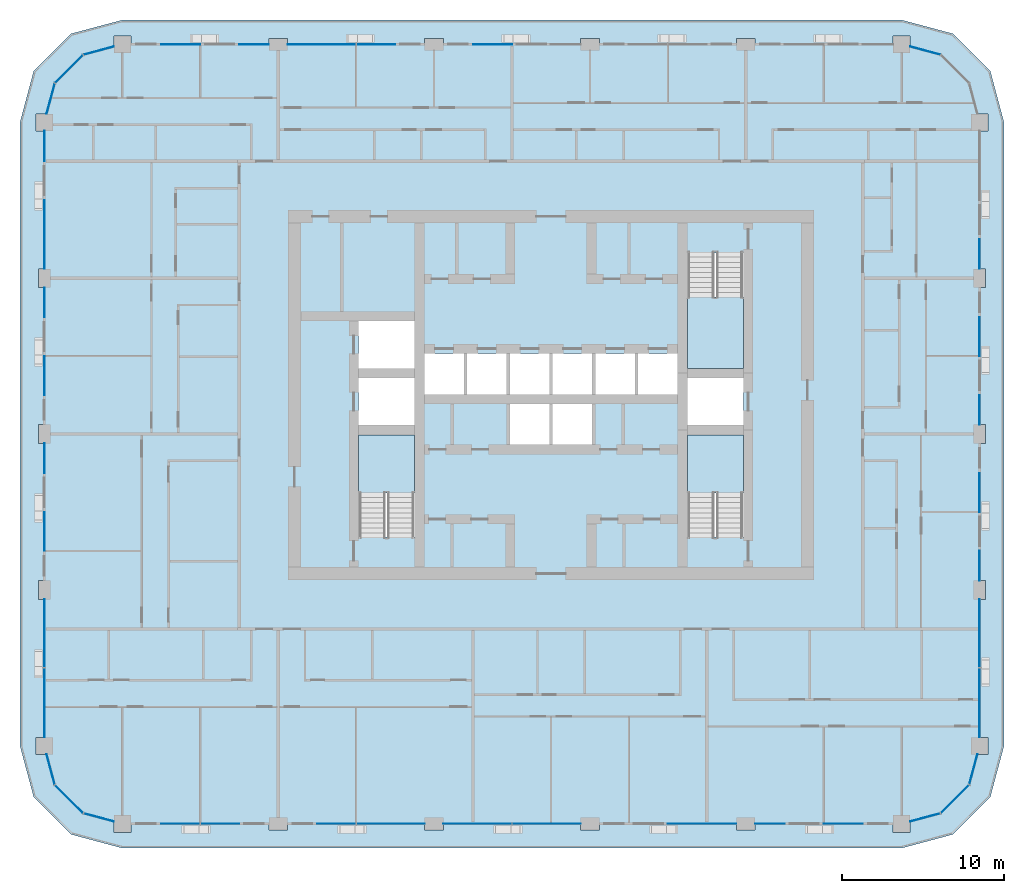
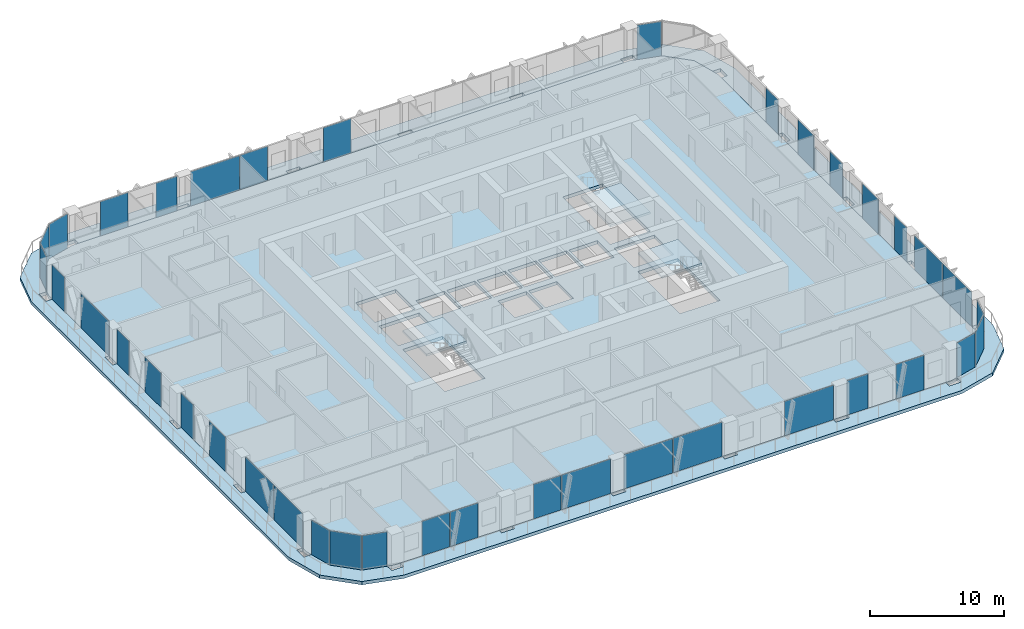
# One storey, part 7 of 22: 39 plates, 5 slabs, 23 elements without a shape of their own.
"""IFC4 building model written with IfcOpenShell, lengths in metres."""

from ifc_helpers import new_model, si_unit, direction, frame, origin, origin_2d, place, context, subcontext, project, spatial, polyline, rectangle, outline, extrude, material, layer, layer_set, type_object, element, aggregate, save


model = new_model("IFC4")

# Units and contexts
model_context = context("Model", 3, precision=1e-05, world=origin(), true_north=direction((0.0, 1.0)))
body_context = subcontext(model_context, "Body", "Model", "MODEL_VIEW")
ifc_project = project(units=[si_unit("LENGTHUNIT", "METRE"), si_unit("AREAUNIT", "SQUARE_METRE"), si_unit("VOLUMEUNIT", "CUBIC_METRE"), si_unit("PLANEANGLEUNIT", "RADIAN"), si_unit("MASSUNIT", "GRAM", prefix="KILO")], contexts=[model_context])

# Site, building, storey
site_placement = place(None, origin())
site = spatial("IfcSite", under=ifc_project, at=site_placement, CompositionType="ELEMENT")
building_placement = place(site_placement, origin())
building = spatial("IfcBuilding", under=site, at=building_placement, Name="Madar Terraces", CompositionType="ELEMENT")
storey_placement = place(building_placement, frame((0.0, 0.0, 156.0)))
storey = spatial("IfcBuildingStorey", under=building, at=storey_placement, Name="L40", CompositionType="ELEMENT", Elevation=156.0)

# Slabs
ifc_material_1 = material(Name="Concrete C50/60", Category="concrete")
ifc_layer_1 = layer(ifc_material_1, 0.300048828125)
ifc_layer_set_1 = layer_set([ifc_layer_1], Name="Balcony band 300")
slab_type_1 = type_object("IfcSlabType", Name="Balcony band 300", PredefinedType="FLOOR", material=ifc_layer_set_1)
slab_1_placement = place(storey_placement, frame((0.0, 0.0, -0.300048828125)))
element("IfcSlab", 1, at=slab_1_placement, inside=storey, type_object=slab_type_1, Name="Balcony band", PredefinedType="FLOOR", context=body_context, shape_type="SweptSolid", body=[
    extrude(outline(polyline([(4.800048828125, -1.5), (1.64990234375, -0.656005859375), (-0.656005859375, 1.64990234375), (-1.5, 4.800048828125), (-1.5, 43.199951171875), (-0.656005859375, 46.35009765625), (1.64990234375, 48.656005859375), (4.800048828125, 49.5), (52.800048828125, 49.5), (55.949951171875, 48.656005859375), (58.256103515625, 46.35009765625), (59.10009765625, 43.199951171875), (59.10009765625, 4.800048828125), (58.256103515625, 1.64990234375), (55.949951171875, -0.656005859375), (52.800048828125, -1.5), (4.800048828125, -1.5)]), holes=[polyline([(5.324951171875, -0.52490234375), (5.324951171875, 0.0), (13.824951171875, 0.0), (13.824951171875, -0.375), (14.97509765625, -0.375), (14.97509765625, 0.0), (23.425048828125, 0.0), (23.425048828125, -0.375), (24.574951171875, -0.375), (24.574951171875, 0.0), (33.02490234375, 0.0), (33.02490234375, -0.375), (34.175048828125, -0.375), (34.175048828125, 0.0), (42.625, 0.0), (42.625, -0.375), (43.77490234375, -0.375), (43.77490234375, 0.0), (52.27490234375, 0.0), (52.27490234375, -0.52490234375), (53.324951171875, -0.52490234375), (53.324951171875, 0.140625), (55.199951171875, 0.64306640625), (56.956787109375, 2.39990234375), (57.459228515625, 4.27490234375), (58.125, 4.27490234375), (58.125, 5.324951171875), (57.60009765625, 5.324951171875), (57.60009765625, 13.824951171875), (57.97509765625, 13.824951171875), (57.97509765625, 14.97509765625), (57.60009765625, 14.97509765625), (57.60009765625, 23.425048828125), (57.97509765625, 23.425048828125), (57.97509765625, 24.574951171875), (57.60009765625, 24.574951171875), (57.60009765625, 33.02490234375), (57.97509765625, 33.02490234375), (57.97509765625, 34.175048828125), (57.60009765625, 34.175048828125), (57.60009765625, 42.675048828125), (58.125, 42.675048828125), (58.125, 43.72509765625), (57.459228515625, 43.72509765625), (56.956787109375, 45.60009765625), (55.199951171875, 47.35693359375), (53.324951171875, 47.859375), (53.324951171875, 48.52490234375), (52.27490234375, 48.52490234375), (52.27490234375, 48.0), (43.77490234375, 48.0), (43.77490234375, 48.375), (42.625, 48.375), (42.625, 48.0), (34.175048828125, 48.0), (34.175048828125, 48.375), (33.02490234375, 48.375), (33.02490234375, 48.0), (24.574951171875, 48.0), (24.574951171875, 48.375), (23.425048828125, 48.375), (23.425048828125, 48.0), (14.97509765625, 48.0), (14.97509765625, 48.375), (13.824951171875, 48.375), (13.824951171875, 48.0), (5.324951171875, 48.0), (5.324951171875, 48.52490234375), (4.27490234375, 48.52490234375), (4.27490234375, 47.859375), (2.39990234375, 47.35693359375), (0.64306640625, 45.60009765625), (0.140625, 43.72509765625), (-0.52490234375, 43.72509765625), (-0.52490234375, 42.675048828125), (0.0, 42.675048828125), (0.0, 34.175048828125), (-0.375, 34.175048828125), (-0.375, 33.02490234375), (0.0, 33.02490234375), (0.0, 24.574951171875), (-0.375, 24.574951171875), (-0.375, 23.425048828125), (0.0, 23.425048828125), (0.0, 14.97509765625), (-0.375, 14.97509765625), (-0.375, 13.824951171875), (0.0, 13.824951171875), (0.0, 5.324951171875), (-0.52490234375, 5.324951171875), (-0.52490234375, 4.27490234375), (0.140625, 4.27490234375), (0.64306640625, 2.39990234375), (2.39990234375, 0.64306640625), (4.27490234375, 0.140625), (4.27490234375, -0.52490234375), (5.324951171875, -0.52490234375)])]), origin(), (0.0, 0.0, 1.0), 0.300048828125),
])
ifc_material_2 = material(Name="Concrete C50/60", Category="concrete")
ifc_layer_2 = layer(ifc_material_2, 0.300048828125)
ifc_layer_set_2 = layer_set([ifc_layer_2], Name="FS2 PT flat slab 300")
slab_type_2 = type_object("IfcSlabType", Name="FS2 PT flat slab 300", PredefinedType="FLOOR", material=ifc_layer_set_2)
slab_2_placement = place(storey_placement, frame((0.0, 0.0, -0.300048828125)))
element("IfcSlab", 2, at=slab_2_placement, inside=storey, type_object=slab_type_2, Name="Floor slab L40 (1)", PredefinedType="FLOOR", context=body_context, shape_type="SweptSolid", body=[
    extrude(outline(polyline([(52.800048828125, 0.0), (55.199951171875, 0.64306640625), (56.95703125, 2.39990234375), (57.60009765625, 4.800048828125), (57.60009765625, 43.199951171875), (56.95703125, 45.60009765625), (55.199951171875, 47.35693359375), (52.800048828125, 48.0), (4.800048828125, 48.0), (2.39990234375, 47.35693359375), (0.64306640625, 45.60009765625), (0.0, 43.199951171875), (0.0, 4.800048828125), (0.64306640625, 2.39990234375), (2.39990234375, 0.64306640625), (4.800048828125, 0.0), (52.800048828125, 0.0)]), holes=[polyline([(22.800048828125, 17.64990234375), (19.35009765625, 17.64990234375), (19.35009765625, 23.949951171875), (22.800048828125, 23.949951171875), (22.800048828125, 17.64990234375)]), polyline([(28.666748046875, 23.35009765625), (28.666748046875, 25.85009765625), (31.10009765625, 25.85009765625), (31.10009765625, 23.35009765625), (28.666748046875, 23.35009765625)]), polyline([(19.35009765625, 24.550048828125), (19.35009765625, 27.449951171875), (22.800048828125, 27.449951171875), (22.800048828125, 24.550048828125), (19.35009765625, 24.550048828125)]), polyline([(23.39990234375, 26.449951171875), (23.39990234375, 28.949951171875), (25.833251953125, 28.949951171875), (25.833251953125, 26.449951171875), (23.39990234375, 26.449951171875)]), polyline([(26.033447265625, 26.449951171875), (26.033447265625, 28.949951171875), (28.466552734375, 28.949951171875), (28.466552734375, 26.449951171875), (26.033447265625, 26.449951171875)]), polyline([(28.666748046875, 26.449951171875), (28.666748046875, 28.949951171875), (31.10009765625, 28.949951171875), (31.10009765625, 26.449951171875), (28.666748046875, 26.449951171875)]), polyline([(19.35009765625, 28.050048828125), (19.35009765625, 30.949951171875), (22.800048828125, 30.949951171875), (22.800048828125, 28.050048828125), (19.35009765625, 28.050048828125)]), polyline([(43.050048828125, 17.64990234375), (39.60009765625, 17.64990234375), (39.60009765625, 23.949951171875), (43.050048828125, 23.949951171875), (43.050048828125, 17.64990234375)]), polyline([(31.300048828125, 23.35009765625), (31.300048828125, 25.85009765625), (33.7333984375, 25.85009765625), (33.7333984375, 23.35009765625), (31.300048828125, 23.35009765625)]), polyline([(39.60009765625, 24.550048828125), (39.60009765625, 27.449951171875), (43.050048828125, 27.449951171875), (43.050048828125, 24.550048828125), (39.60009765625, 24.550048828125)]), polyline([(31.300048828125, 26.449951171875), (31.300048828125, 28.949951171875), (33.7333984375, 28.949951171875), (33.7333984375, 26.449951171875), (31.300048828125, 26.449951171875)]), polyline([(33.933349609375, 26.449951171875), (33.933349609375, 28.949951171875), (36.36669921875, 28.949951171875), (36.36669921875, 26.449951171875), (33.933349609375, 26.449951171875)]), polyline([(36.566650390625, 26.449951171875), (36.566650390625, 28.949951171875), (39.0, 28.949951171875), (39.0, 26.449951171875), (36.566650390625, 26.449951171875)]), polyline([(39.60009765625, 28.050048828125), (39.60009765625, 35.14990234375), (43.050048828125, 35.14990234375), (43.050048828125, 28.050048828125), (39.60009765625, 28.050048828125)])]), origin(), (0.0, 0.0, 1.0), 0.300048828125),
])

# Curtain wall, plates
ifc_material_3 = material(Name="Glass, ceramic frit dark grey, with black aluminium frame", Category="aluminium")
ifc_layer_3 = layer(ifc_material_3, 0.199951171875)
ifc_layer_set_3 = layer_set([ifc_layer_3], Name="Facade curtain wall, fritted glass")
curtain_wall_type = type_object("IfcCurtainWallType", Name="Facade curtain wall, fritted glass", PredefinedType="NOTDEFINED", material=ifc_layer_set_3)
curtain_wall_1_placement = place(storey_placement, origin())
curtain_wall_1 = element("IfcCurtainWall", 3, at=curtain_wall_1_placement, inside=storey, type_object=curtain_wall_type, Name="Outer skin curtain wall south bay 1", PredefinedType="NOTDEFINED")
ifc_material_4 = material(Name="Glass, ceramic frit dark grey", Category="glass")
ifc_layer_4 = layer(ifc_material_4, 0.028076171875)
ifc_layer_set_4 = layer_set([ifc_layer_4], Name="Facade glass panel 28")
plate_type = type_object("IfcPlateType", Name="Facade glass panel 28", PredefinedType="CURTAIN_PANEL", material=ifc_layer_set_4)
plate_1_placement = place(storey_placement, frame((8.385009765625, 0.0, 0.0), z_axis=(0.0, 0.0, 1.0), x_axis=(1.0, 0.0, 0.0)))
plate_1 = element("IfcPlate", 4, at=plate_1_placement, type_object=plate_type, Name="Panel 1", PredefinedType="CURTAIN_PANEL", context=body_context, shape_type="SweptSolid", body=[
    extrude(rectangle(XDim=2.3701171875, YDim=0.028076171875, at=origin_2d()), origin(), (0.0, 0.0, 1.0), 3.139892578125),
])
plate_2_placement = place(storey_placement, frame((10.81494140625, 0.0, 0.0), z_axis=(0.0, 0.0, 1.0), x_axis=(1.0, 0.0, 0.0)))
plate_2 = element("IfcPlate", 5, at=plate_2_placement, type_object=plate_type, Name="Panel 2", PredefinedType="CURTAIN_PANEL", context=body_context, shape_type="SweptSolid", body=[
    extrude(rectangle(XDim=2.3701171875, YDim=0.028076171875, at=origin_2d()), origin(), (0.0, 0.0, 1.0), 3.139892578125),
])
aggregate(curtain_wall_1, [plate_1, plate_2])

curtain_wall_2_placement = place(storey_placement, origin())
curtain_wall_2 = element("IfcCurtainWall", 6, at=curtain_wall_2_placement, inside=storey, type_object=curtain_wall_type, Name="Outer skin curtain wall south bay 2", PredefinedType="NOTDEFINED")
plate_3_placement = place(storey_placement, frame((17.985107421875, 0.0, 0.0), z_axis=(0.0, 0.0, 1.0), x_axis=(1.0, 0.0, 0.0)))
plate_3 = element("IfcPlate", 7, at=plate_3_placement, type_object=plate_type, Name="Panel 1", PredefinedType="CURTAIN_PANEL", context=body_context, shape_type="SweptSolid", body=[
    extrude(rectangle(XDim=2.3701171875, YDim=0.028076171875, at=origin_2d()), origin(), (0.0, 0.0, 1.0), 3.139892578125),
])
plate_4_placement = place(storey_placement, frame((21.327392578125, 0.0, 0.0), z_axis=(0.0, 0.0, 1.0), x_axis=(1.0, 0.0, 0.0)))
plate_4 = element("IfcPlate", 8, at=plate_4_placement, type_object=plate_type, Name="Panel 2", PredefinedType="CURTAIN_PANEL", context=body_context, shape_type="SweptSolid", body=[
    extrude(rectangle(XDim=4.195068359375, YDim=0.028076171875, at=origin_2d()), origin(), (0.0, 0.0, 1.0), 3.139892578125),
])
aggregate(curtain_wall_2, [plate_3, plate_4])

curtain_wall_3_placement = place(storey_placement, origin())
curtain_wall_3 = element("IfcCurtainWall", 9, at=curtain_wall_3_placement, inside=storey, type_object=curtain_wall_type, Name="Outer skin curtain wall south bay 3", PredefinedType="NOTDEFINED")
plate_5_placement = place(storey_placement, frame((26.672607421875, 0.0, 0.0), z_axis=(0.0, 0.0, 1.0), x_axis=(1.0, 0.0, 0.0)))
plate_5 = element("IfcPlate", 10, at=plate_5_placement, type_object=plate_type, Name="Panel 1", PredefinedType="CURTAIN_PANEL", context=body_context, shape_type="SweptSolid", body=[
    extrude(rectangle(XDim=4.195068359375, YDim=0.028076171875, at=origin_2d()), origin(), (0.0, 0.0, 1.0), 3.139892578125),
])
plate_6_placement = place(storey_placement, frame((30.927490234375, 0.0, 0.0), z_axis=(0.0, 0.0, 1.0), x_axis=(1.0, 0.0, 0.0)))
plate_6 = element("IfcPlate", 11, at=plate_6_placement, type_object=plate_type, Name="Panel 2", PredefinedType="CURTAIN_PANEL", context=body_context, shape_type="SweptSolid", body=[
    extrude(rectangle(XDim=4.195068359375, YDim=0.028076171875, at=origin_2d()), origin(), (0.0, 0.0, 1.0), 3.139892578125),
])
aggregate(curtain_wall_3, [plate_5, plate_6])

# Curtain wall, plate
curtain_wall_4_placement = place(storey_placement, origin())
curtain_wall_4 = element("IfcCurtainWall", 12, at=curtain_wall_4_placement, inside=storey, type_object=curtain_wall_type, Name="Outer skin curtain wall south bay 4", PredefinedType="NOTDEFINED")
plate_7_placement = place(storey_placement, frame((40.512451171875, 0.0, 0.0), z_axis=(0.0, 0.0, 1.0), x_axis=(1.0, 0.0, 0.0)))
plate_7 = element("IfcPlate", 13, at=plate_7_placement, type_object=plate_type, Name="Panel 1", PredefinedType="CURTAIN_PANEL", context=body_context, shape_type="SweptSolid", body=[
    extrude(rectangle(XDim=4.22509765625, YDim=0.028076171875, at=origin_2d()), origin(), (0.0, 0.0, 1.0), 3.139892578125),
])
aggregate(curtain_wall_4, [plate_7])

# Curtain wall, plates
curtain_wall_5_placement = place(storey_placement, origin())
curtain_wall_5 = element("IfcCurtainWall", 14, at=curtain_wall_5_placement, inside=storey, type_object=curtain_wall_type, Name="Outer skin curtain wall south bay 5", PredefinedType="NOTDEFINED")
plate_8_placement = place(storey_placement, frame((44.6875, 0.0, 0.0), z_axis=(0.0, 0.0, 1.0), x_axis=(1.0, 0.0, 0.0)))
plate_8 = element("IfcPlate", 15, at=plate_8_placement, type_object=plate_type, Name="Panel 1", PredefinedType="CURTAIN_PANEL", context=body_context, shape_type="SweptSolid", body=[
    extrude(rectangle(XDim=1.824951171875, YDim=0.028076171875, at=origin_2d()), origin(), (0.0, 0.0, 1.0), 3.139892578125),
])
plate_9_placement = place(storey_placement, frame((49.199951171875, 0.0, 0.0), z_axis=(0.0, 0.0, 1.0), x_axis=(1.0, 0.0, 0.0)))
plate_9 = element("IfcPlate", 16, at=plate_9_placement, type_object=plate_type, Name="Panel 2", PredefinedType="CURTAIN_PANEL", context=body_context, shape_type="SweptSolid", body=[
    extrude(rectangle(XDim=2.39990234375, YDim=0.028076171875, at=origin_2d()), origin(), (0.0, 0.0, 1.0), 3.139892578125),
])
aggregate(curtain_wall_5, [plate_8, plate_9])

curtain_wall_6_placement = place(storey_placement, origin())
curtain_wall_6 = element("IfcCurtainWall", 17, at=curtain_wall_6_placement, inside=storey, type_object=curtain_wall_type, Name="Outer skin curtain wall east bay 1", PredefinedType="NOTDEFINED")
plate_10_placement = place(storey_placement, frame((57.60009765625, 7.447509765625, 0.0), z_axis=(0.0, 0.0, 1.0), x_axis=(0.0, 1.0, 0.0)))
plate_10 = element("IfcPlate", 18, at=plate_10_placement, type_object=plate_type, Name="Panel 1", PredefinedType="CURTAIN_PANEL", context=body_context, shape_type="SweptSolid", body=[
    extrude(rectangle(XDim=4.2451171875, YDim=0.028076171875, at=origin_2d()), origin(), (0.0, 0.0, 1.0), 3.139892578125),
])
plate_11_placement = place(storey_placement, frame((57.60009765625, 11.7275390625, 0.0), z_axis=(0.0, 0.0, 1.0), x_axis=(0.0, 1.0, 0.0)))
plate_11 = element("IfcPlate", 19, at=plate_11_placement, type_object=plate_type, Name="Panel 2", PredefinedType="CURTAIN_PANEL", context=body_context, shape_type="SweptSolid", body=[
    extrude(rectangle(XDim=4.195068359375, YDim=0.028076171875, at=origin_2d()), origin(), (0.0, 0.0, 1.0), 3.139892578125),
])
aggregate(curtain_wall_6, [plate_10, plate_11])

curtain_wall_7_placement = place(storey_placement, origin())
curtain_wall_7 = element("IfcCurtainWall", 20, at=curtain_wall_7_placement, inside=storey, type_object=curtain_wall_type, Name="Outer skin curtain wall east bay 2", PredefinedType="NOTDEFINED")
plate_12_placement = place(storey_placement, frame((57.60009765625, 15.887451171875, 0.0), z_axis=(0.0, 0.0, 1.0), x_axis=(0.0, 1.0, 0.0)))
plate_12 = element("IfcPlate", 21, at=plate_12_placement, type_object=plate_type, Name="Panel 1", PredefinedType="CURTAIN_PANEL", context=body_context, shape_type="SweptSolid", body=[
    extrude(rectangle(XDim=1.824951171875, YDim=0.028076171875, at=origin_2d()), origin(), (0.0, 0.0, 1.0), 3.139892578125),
])
plate_13_placement = place(storey_placement, frame((57.60009765625, 20.39990234375, 0.0), z_axis=(0.0, 0.0, 1.0), x_axis=(0.0, 1.0, 0.0)))
plate_13 = element("IfcPlate", 22, at=plate_13_placement, type_object=plate_type, Name="Panel 2", PredefinedType="CURTAIN_PANEL", context=body_context, shape_type="SweptSolid", body=[
    extrude(rectangle(XDim=2.39990234375, YDim=0.028076171875, at=origin_2d()), origin(), (0.0, 0.0, 1.0), 3.139892578125),
])
aggregate(curtain_wall_7, [plate_12, plate_13])

curtain_wall_8_placement = place(storey_placement, origin())
curtain_wall_8 = element("IfcCurtainWall", 23, at=curtain_wall_8_placement, inside=storey, type_object=curtain_wall_type, Name="Outer skin curtain wall east bay 3", PredefinedType="NOTDEFINED")
plate_14_placement = place(storey_placement, frame((57.60009765625, 25.487548828125, 0.0), z_axis=(0.0, 0.0, 1.0), x_axis=(0.0, 1.0, 0.0)))
plate_14 = element("IfcPlate", 24, at=plate_14_placement, type_object=plate_type, Name="Panel 1", PredefinedType="CURTAIN_PANEL", context=body_context, shape_type="SweptSolid", body=[
    extrude(rectangle(XDim=1.824951171875, YDim=0.028076171875, at=origin_2d()), origin(), (0.0, 0.0, 1.0), 3.139892578125),
])
plate_15_placement = place(storey_placement, frame((57.60009765625, 30.0, 0.0), z_axis=(0.0, 0.0, 1.0), x_axis=(0.0, 1.0, 0.0)))
plate_15 = element("IfcPlate", 25, at=plate_15_placement, type_object=plate_type, Name="Panel 2", PredefinedType="CURTAIN_PANEL", context=body_context, shape_type="SweptSolid", body=[
    extrude(rectangle(XDim=2.39990234375, YDim=0.028076171875, at=origin_2d()), origin(), (0.0, 0.0, 1.0), 3.139892578125),
])
aggregate(curtain_wall_8, [plate_14, plate_15])

# Curtain wall, plate
curtain_wall_9_placement = place(storey_placement, origin())
curtain_wall_9 = element("IfcCurtainWall", 26, at=curtain_wall_9_placement, inside=storey, type_object=curtain_wall_type, Name="Outer skin curtain wall east bay 4", PredefinedType="NOTDEFINED")
plate_16_placement = place(storey_placement, frame((57.60009765625, 35.08740234375, 0.0), z_axis=(0.0, 0.0, 1.0), x_axis=(0.0, 1.0, 0.0)))
plate_16 = element("IfcPlate", 27, at=plate_16_placement, type_object=plate_type, Name="Panel 1", PredefinedType="CURTAIN_PANEL", context=body_context, shape_type="SweptSolid", body=[
    extrude(rectangle(XDim=1.824951171875, YDim=0.028076171875, at=origin_2d()), origin(), (0.0, 0.0, 1.0), 3.139892578125),
])
aggregate(curtain_wall_9, [plate_16])

curtain_wall_10_placement = place(storey_placement, origin())
curtain_wall_10 = element("IfcCurtainWall", 28, at=curtain_wall_10_placement, inside=storey, type_object=curtain_wall_type, Name="Outer skin curtain wall north bay 3", PredefinedType="NOTDEFINED")
plate_17_placement = place(storey_placement, frame((27.60009765625, 48.0, 0.0), z_axis=(0.0, 0.0, 1.0), x_axis=(-1.0, 0.0, 0.0)))
plate_17 = element("IfcPlate", 29, at=plate_17_placement, type_object=plate_type, Name="Panel 2", PredefinedType="CURTAIN_PANEL", context=body_context, shape_type="SweptSolid", body=[
    extrude(rectangle(XDim=2.39990234375, YDim=0.028076171875, at=origin_2d()), origin(), (0.0, 0.0, 1.0), 3.139892578125),
])
aggregate(curtain_wall_10, [plate_17])

# Curtain wall, plates
curtain_wall_11_placement = place(storey_placement, origin())
curtain_wall_11 = element("IfcCurtainWall", 30, at=curtain_wall_11_placement, inside=storey, type_object=curtain_wall_type, Name="Outer skin curtain wall north bay 4", PredefinedType="NOTDEFINED")
plate_18_placement = place(storey_placement, frame((20.4150390625, 48.0, 0.0), z_axis=(0.0, 0.0, 1.0), x_axis=(-1.0, 0.0, 0.0)))
plate_18 = element("IfcPlate", 31, at=plate_18_placement, type_object=plate_type, Name="Panel 1", PredefinedType="CURTAIN_PANEL", context=body_context, shape_type="SweptSolid", body=[
    extrude(rectangle(XDim=2.3701171875, YDim=0.028076171875, at=origin_2d()), origin(), (0.0, 0.0, 1.0), 3.139892578125),
])
plate_19_placement = place(storey_placement, frame((17.072509765625, 48.0, 0.0), z_axis=(0.0, 0.0, 1.0), x_axis=(-1.0, 0.0, 0.0)))
plate_19 = element("IfcPlate", 32, at=plate_19_placement, type_object=plate_type, Name="Panel 2", PredefinedType="CURTAIN_PANEL", context=body_context, shape_type="SweptSolid", body=[
    extrude(rectangle(XDim=4.195068359375, YDim=0.028076171875, at=origin_2d()), origin(), (0.0, 0.0, 1.0), 3.139892578125),
])
aggregate(curtain_wall_11, [plate_18, plate_19])

curtain_wall_12_placement = place(storey_placement, origin())
curtain_wall_12 = element("IfcCurtainWall", 33, at=curtain_wall_12_placement, inside=storey, type_object=curtain_wall_type, Name="Outer skin curtain wall north bay 5", PredefinedType="NOTDEFINED")
plate_20_placement = place(storey_placement, frame((12.91259765625, 48.0, 0.0), z_axis=(0.0, 0.0, 1.0), x_axis=(-1.0, 0.0, 0.0)))
plate_20 = element("IfcPlate", 34, at=plate_20_placement, type_object=plate_type, Name="Panel 1", PredefinedType="CURTAIN_PANEL", context=body_context, shape_type="SweptSolid", body=[
    extrude(rectangle(XDim=1.824951171875, YDim=0.028076171875, at=origin_2d()), origin(), (0.0, 0.0, 1.0), 3.139892578125),
])
plate_21_placement = place(storey_placement, frame((8.39990234375, 48.0, 0.0), z_axis=(0.0, 0.0, 1.0), x_axis=(-1.0, 0.0, 0.0)))
plate_21 = element("IfcPlate", 35, at=plate_21_placement, type_object=plate_type, Name="Panel 2", PredefinedType="CURTAIN_PANEL", context=body_context, shape_type="SweptSolid", body=[
    extrude(rectangle(XDim=2.39990234375, YDim=0.028076171875, at=origin_2d()), origin(), (0.0, 0.0, 1.0), 3.139892578125),
])
aggregate(curtain_wall_12, [plate_20, plate_21])

curtain_wall_13_placement = place(storey_placement, origin())
curtain_wall_13 = element("IfcCurtainWall", 36, at=curtain_wall_13_placement, inside=storey, type_object=curtain_wall_type, Name="Outer skin curtain wall west bay 1", PredefinedType="NOTDEFINED")
plate_22_placement = place(storey_placement, frame((0.0, 41.737548828125, 0.0), z_axis=(0.0, 0.0, 1.0), x_axis=(0.0, -1.0, 0.0)))
plate_22 = element("IfcPlate", 37, at=plate_22_placement, type_object=plate_type, Name="Panel 1", PredefinedType="CURTAIN_PANEL", context=body_context, shape_type="SweptSolid", body=[
    extrude(rectangle(XDim=1.875, YDim=0.028076171875, at=origin_2d()), origin(), (0.0, 0.0, 1.0), 3.139892578125),
])
plate_23_placement = place(storey_placement, frame((0.0, 36.28759765625, 0.0), z_axis=(0.0, 0.0, 1.0), x_axis=(0.0, -1.0, 0.0)))
plate_23 = element("IfcPlate", 38, at=plate_23_placement, type_object=plate_type, Name="Panel 2", PredefinedType="CURTAIN_PANEL", context=body_context, shape_type="SweptSolid", body=[
    extrude(rectangle(XDim=4.22509765625, YDim=0.028076171875, at=origin_2d()), origin(), (0.0, 0.0, 1.0), 3.139892578125),
])
aggregate(curtain_wall_13, [plate_22, plate_23])

curtain_wall_14_placement = place(storey_placement, origin())
curtain_wall_14 = element("IfcCurtainWall", 39, at=curtain_wall_14_placement, inside=storey, type_object=curtain_wall_type, Name="Outer skin curtain wall west bay 2", PredefinedType="NOTDEFINED")
plate_24_placement = place(storey_placement, frame((0.0, 32.112548828125, 0.0), z_axis=(0.0, 0.0, 1.0), x_axis=(0.0, -1.0, 0.0)))
plate_24 = element("IfcPlate", 40, at=plate_24_placement, type_object=plate_type, Name="Panel 1", PredefinedType="CURTAIN_PANEL", context=body_context, shape_type="SweptSolid", body=[
    extrude(rectangle(XDim=1.824951171875, YDim=0.028076171875, at=origin_2d()), origin(), (0.0, 0.0, 1.0), 3.139892578125),
])
plate_25_placement = place(storey_placement, frame((0.0, 27.60009765625, 0.0), z_axis=(0.0, 0.0, 1.0), x_axis=(0.0, -1.0, 0.0)))
plate_25 = element("IfcPlate", 41, at=plate_25_placement, type_object=plate_type, Name="Panel 2", PredefinedType="CURTAIN_PANEL", context=body_context, shape_type="SweptSolid", body=[
    extrude(rectangle(XDim=2.39990234375, YDim=0.028076171875, at=origin_2d()), origin(), (0.0, 0.0, 1.0), 3.139892578125),
])
aggregate(curtain_wall_14, [plate_24, plate_25])

curtain_wall_15_placement = place(storey_placement, origin())
curtain_wall_15 = element("IfcCurtainWall", 42, at=curtain_wall_15_placement, inside=storey, type_object=curtain_wall_type, Name="Outer skin curtain wall west bay 3", PredefinedType="NOTDEFINED")
plate_26_placement = place(storey_placement, frame((0.0, 22.512451171875, 0.0), z_axis=(0.0, 0.0, 1.0), x_axis=(0.0, -1.0, 0.0)))
plate_26 = element("IfcPlate", 43, at=plate_26_placement, type_object=plate_type, Name="Panel 1", PredefinedType="CURTAIN_PANEL", context=body_context, shape_type="SweptSolid", body=[
    extrude(rectangle(XDim=1.824951171875, YDim=0.028076171875, at=origin_2d()), origin(), (0.0, 0.0, 1.0), 3.139892578125),
])
plate_27_placement = place(storey_placement, frame((0.0, 18.0, 0.0), z_axis=(0.0, 0.0, 1.0), x_axis=(0.0, -1.0, 0.0)))
plate_27 = element("IfcPlate", 44, at=plate_27_placement, type_object=plate_type, Name="Panel 2", PredefinedType="CURTAIN_PANEL", context=body_context, shape_type="SweptSolid", body=[
    extrude(rectangle(XDim=2.39990234375, YDim=0.028076171875, at=origin_2d()), origin(), (0.0, 0.0, 1.0), 3.139892578125),
])
aggregate(curtain_wall_15, [plate_26, plate_27])

curtain_wall_16_placement = place(storey_placement, origin())
curtain_wall_16 = element("IfcCurtainWall", 45, at=curtain_wall_16_placement, inside=storey, type_object=curtain_wall_type, Name="Outer skin curtain wall west bay 4", PredefinedType="NOTDEFINED")
plate_28_placement = place(storey_placement, frame((0.0, 11.7275390625, 0.0), z_axis=(0.0, 0.0, 1.0), x_axis=(0.0, -1.0, 0.0)))
plate_28 = element("IfcPlate", 46, at=plate_28_placement, type_object=plate_type, Name="Panel 1", PredefinedType="CURTAIN_PANEL", context=body_context, shape_type="SweptSolid", body=[
    extrude(rectangle(XDim=4.195068359375, YDim=0.028076171875, at=origin_2d()), origin(), (0.0, 0.0, 1.0), 3.139892578125),
])
plate_29_placement = place(storey_placement, frame((0.0, 7.447509765625, 0.0), z_axis=(0.0, 0.0, 1.0), x_axis=(0.0, -1.0, 0.0)))
plate_29 = element("IfcPlate", 47, at=plate_29_placement, type_object=plate_type, Name="Panel 2", PredefinedType="CURTAIN_PANEL", context=body_context, shape_type="SweptSolid", body=[
    extrude(rectangle(XDim=4.2451171875, YDim=0.028076171875, at=origin_2d()), origin(), (0.0, 0.0, 1.0), 3.139892578125),
])
aggregate(curtain_wall_16, [plate_28, plate_29])

curtain_wall_17_placement = place(storey_placement, origin())
curtain_wall_17 = element("IfcCurtainWall", 48, at=curtain_wall_17_placement, inside=storey, type_object=curtain_wall_type, Name="Outer skin curtain wall south-east corner", PredefinedType="NOTDEFINED")
plate_30_placement = place(storey_placement, frame((54.248046875, 0.387939453125, 0.0), z_axis=(0.0, 0.0, 1.0), x_axis=(0.965925832509, 0.258819021888, 0.0)))
plate_30 = element("IfcPlate", 49, at=plate_30_placement, type_object=plate_type, Name="Panel 1", PredefinedType="CURTAIN_PANEL", context=body_context, shape_type="SweptSolid", body=[
    extrude(rectangle(XDim=1.9111328125, YDim=0.028076171875, at=origin_2d()), origin(), (0.0, 0.0, 1.0), 3.139892578125),
])
plate_31_placement = place(storey_placement, frame((56.078369140625, 1.521484375, 0.0), z_axis=(0.0, 0.0, 1.0), x_axis=(0.707106781187, 0.707106781187, 0.0)))
plate_31 = element("IfcPlate", 50, at=plate_31_placement, type_object=plate_type, Name="Panel 2", PredefinedType="CURTAIN_PANEL", context=body_context, shape_type="SweptSolid", body=[
    extrude(rectangle(XDim=2.424560546875, YDim=0.028076171875, at=origin_2d()), origin(), (0.0, 0.0, 1.0), 3.139892578125),
])
plate_32_placement = place(storey_placement, frame((57.2119140625, 3.35205078125, 0.0), z_axis=(0.0, 0.0, 1.0), x_axis=(0.258819021888, 0.965925832509, 0.0)))
plate_32 = element("IfcPlate", 51, at=plate_32_placement, type_object=plate_type, Name="Panel 3", PredefinedType="CURTAIN_PANEL", context=body_context, shape_type="SweptSolid", body=[
    extrude(rectangle(XDim=1.9111328125, YDim=0.028076171875, at=origin_2d()), origin(), (0.0, 0.0, 1.0), 3.139892578125),
])
aggregate(curtain_wall_17, [plate_30, plate_31, plate_32])

# Curtain wall, plate
curtain_wall_18_placement = place(storey_placement, origin())
curtain_wall_18 = element("IfcCurtainWall", 52, at=curtain_wall_18_placement, inside=storey, type_object=curtain_wall_type, Name="Outer skin curtain wall north-east corner", PredefinedType="NOTDEFINED")
plate_33_placement = place(storey_placement, frame((54.248046875, 47.612060546875, 0.0), z_axis=(0.0, 0.0, 1.0), x_axis=(-0.965925832509, 0.258819021888, 0.0)))
plate_33 = element("IfcPlate", 53, at=plate_33_placement, type_object=plate_type, Name="Panel 3", PredefinedType="CURTAIN_PANEL", context=body_context, shape_type="SweptSolid", body=[
    extrude(rectangle(XDim=1.9111328125, YDim=0.028076171875, at=origin_2d()), origin(), (0.0, 0.0, 1.0), 3.139892578125),
])
aggregate(curtain_wall_18, [plate_33])

# Curtain wall, plates
curtain_wall_19_placement = place(storey_placement, origin())
curtain_wall_19 = element("IfcCurtainWall", 54, at=curtain_wall_19_placement, inside=storey, type_object=curtain_wall_type, Name="Outer skin curtain wall north-west corner", PredefinedType="NOTDEFINED")
plate_34_placement = place(storey_placement, frame((3.35205078125, 47.612060546875, 0.0), z_axis=(0.0, 0.0, 1.0), x_axis=(-0.965925832509, -0.258819021888, 0.0)))
plate_34 = element("IfcPlate", 55, at=plate_34_placement, type_object=plate_type, Name="Panel 1", PredefinedType="CURTAIN_PANEL", context=body_context, shape_type="SweptSolid", body=[
    extrude(rectangle(XDim=1.9111328125, YDim=0.028076171875, at=origin_2d()), origin(), (0.0, 0.0, 1.0), 3.139892578125),
])
plate_35_placement = place(storey_placement, frame((1.521484375, 46.478515625, 0.0), z_axis=(0.0, 0.0, 1.0), x_axis=(-0.707106781187, -0.707106781187, 0.0)))
plate_35 = element("IfcPlate", 56, at=plate_35_placement, type_object=plate_type, Name="Panel 2", PredefinedType="CURTAIN_PANEL", context=body_context, shape_type="SweptSolid", body=[
    extrude(rectangle(XDim=2.424560546875, YDim=0.028076171875, at=origin_2d()), origin(), (0.0, 0.0, 1.0), 3.139892578125),
])
plate_36_placement = place(storey_placement, frame((0.387939453125, 44.64794921875, 0.0), z_axis=(0.0, 0.0, 1.0), x_axis=(-0.258819021888, -0.965925832509, 0.0)))
plate_36 = element("IfcPlate", 57, at=plate_36_placement, type_object=plate_type, Name="Panel 3", PredefinedType="CURTAIN_PANEL", context=body_context, shape_type="SweptSolid", body=[
    extrude(rectangle(XDim=1.9111328125, YDim=0.028076171875, at=origin_2d()), origin(), (0.0, 0.0, 1.0), 3.139892578125),
])
aggregate(curtain_wall_19, [plate_34, plate_35, plate_36])

curtain_wall_20_placement = place(storey_placement, origin())
curtain_wall_20 = element("IfcCurtainWall", 58, at=curtain_wall_20_placement, inside=storey, type_object=curtain_wall_type, Name="Outer skin curtain wall south-west corner", PredefinedType="NOTDEFINED")
plate_37_placement = place(storey_placement, frame((0.387939453125, 3.35205078125, 0.0), z_axis=(0.0, 0.0, 1.0), x_axis=(0.258819021888, -0.965925832509, 0.0)))
plate_37 = element("IfcPlate", 59, at=plate_37_placement, type_object=plate_type, Name="Panel 1", PredefinedType="CURTAIN_PANEL", context=body_context, shape_type="SweptSolid", body=[
    extrude(rectangle(XDim=1.9111328125, YDim=0.028076171875, at=origin_2d()), origin(), (0.0, 0.0, 1.0), 3.139892578125),
])
plate_38_placement = place(storey_placement, frame((1.521484375, 1.521484375, 0.0), z_axis=(0.0, 0.0, 1.0), x_axis=(0.707106781187, -0.707106781187, 0.0)))
plate_38 = element("IfcPlate", 60, at=plate_38_placement, type_object=plate_type, Name="Panel 2", PredefinedType="CURTAIN_PANEL", context=body_context, shape_type="SweptSolid", body=[
    extrude(rectangle(XDim=2.424560546875, YDim=0.028076171875, at=origin_2d()), origin(), (0.0, 0.0, 1.0), 3.139892578125),
])
plate_39_placement = place(storey_placement, frame((3.35205078125, 0.387939453125, 0.0), z_axis=(0.0, 0.0, 1.0), x_axis=(0.965925832509, -0.258819021888, 0.0)))
plate_39 = element("IfcPlate", 61, at=plate_39_placement, type_object=plate_type, Name="Panel 3", PredefinedType="CURTAIN_PANEL", context=body_context, shape_type="SweptSolid", body=[
    extrude(rectangle(XDim=1.9111328125, YDim=0.028076171875, at=origin_2d()), origin(), (0.0, 0.0, 1.0), 3.139892578125),
])
aggregate(curtain_wall_20, [plate_37, plate_38, plate_39])

# Stair, slab
ifc_material_5 = material(Name="Concrete C50/60", Category="concrete")
stair_type_1 = type_object("IfcStairType", Name="Stair ST1 protected exit", PredefinedType="HALF_TURN_STAIR", material=ifc_material_5)
stair_1_placement = place(storey_placement, origin())
stair_1 = element("IfcStair", 62, at=stair_1_placement, inside=storey, type_object=stair_type_1, Name="L40 Protected Exit Stair ST1", PredefinedType="HALF_TURN_STAIR")
ifc_material_6 = material(Name="Concrete C50/60", Category="concrete")
ifc_layer_5 = layer(ifc_material_6, 0.199951171875)
ifc_layer_set_5 = layer_set([ifc_layer_5], Name="Stair landing 200, top +1.75")
slab_type_3 = type_object("IfcSlabType", Name="Stair landing 200, top +1.75", PredefinedType="LANDING", material=ifc_layer_set_5)
slab_3_placement = place(storey_placement, frame((0.0, 0.0, 1.550048828125)))
slab_3 = element("IfcSlab", 63, at=slab_3_placement, type_object=slab_type_3, Name="ST1 landing 1", PredefinedType="LANDING", context=body_context, shape_type="SweptSolid", body=[
    extrude(outline(polyline([(19.35009765625, 20.360107421875), (22.800048828125, 20.360107421875), (22.800048828125, 23.949951171875), (19.35009765625, 23.949951171875), (19.35009765625, 20.360107421875)])), origin(), (0.0, 0.0, 1.0), 0.199951171875),
])
aggregate(stair_1, [slab_3])

ifc_material_7 = material(Name="Concrete C50/60", Category="concrete")
stair_type_2 = type_object("IfcStairType", Name="Stair ST2 protected exit", PredefinedType="HALF_TURN_STAIR", material=ifc_material_7)
stair_2_placement = place(storey_placement, origin())
stair_2 = element("IfcStair", 64, at=stair_2_placement, inside=storey, type_object=stair_type_2, Name="L40 Protected Exit Stair ST2", PredefinedType="HALF_TURN_STAIR")
slab_4_placement = place(storey_placement, frame((0.0, 0.0, 1.550048828125)))
slab_4 = element("IfcSlab", 65, at=slab_4_placement, type_object=slab_type_3, Name="ST2 landing 1", PredefinedType="LANDING", context=body_context, shape_type="SweptSolid", body=[
    extrude(outline(polyline([(39.60009765625, 28.050048828125), (43.050048828125, 28.050048828125), (43.050048828125, 32.43994140625), (39.60009765625, 32.43994140625), (39.60009765625, 28.050048828125)])), origin(), (0.0, 0.0, 1.0), 0.199951171875),
])
aggregate(stair_2, [slab_4])

ifc_material_8 = material(Name="Concrete C50/60", Category="concrete")
stair_type_3 = type_object("IfcStairType", Name="Stair ST3 protected exit", PredefinedType="HALF_TURN_STAIR", material=ifc_material_8)
stair_3_placement = place(storey_placement, origin())
stair_3 = element("IfcStair", 66, at=stair_3_placement, inside=storey, type_object=stair_type_3, Name="L40 Protected Exit Stair ST3", PredefinedType="HALF_TURN_STAIR")
slab_5_placement = place(storey_placement, frame((0.0, 0.0, 1.550048828125)))
slab_5 = element("IfcSlab", 67, at=slab_5_placement, type_object=slab_type_3, Name="ST3 landing 1", PredefinedType="LANDING", context=body_context, shape_type="SweptSolid", body=[
    extrude(outline(polyline([(39.60009765625, 20.360107421875), (43.050048828125, 20.360107421875), (43.050048828125, 23.949951171875), (39.60009765625, 23.949951171875), (39.60009765625, 20.360107421875)])), origin(), (0.0, 0.0, 1.0), 0.199951171875),
])
aggregate(stair_3, [slab_5])

save(model, "model.ifc")
